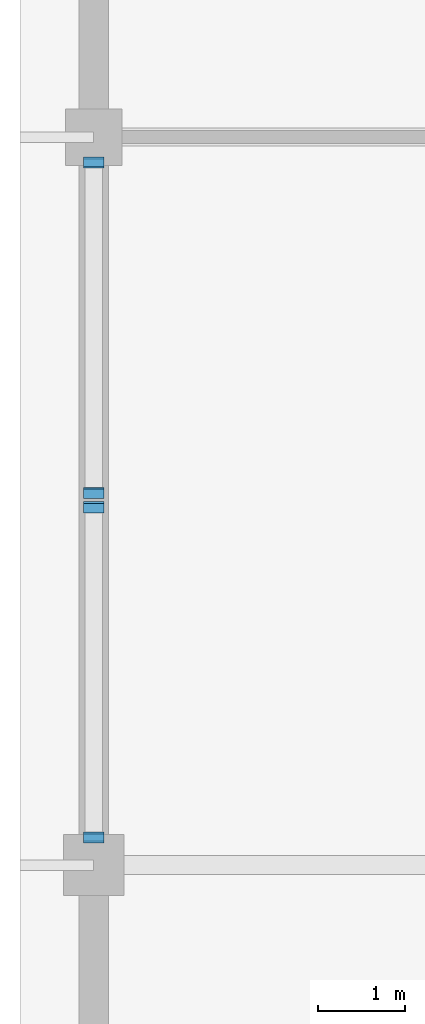
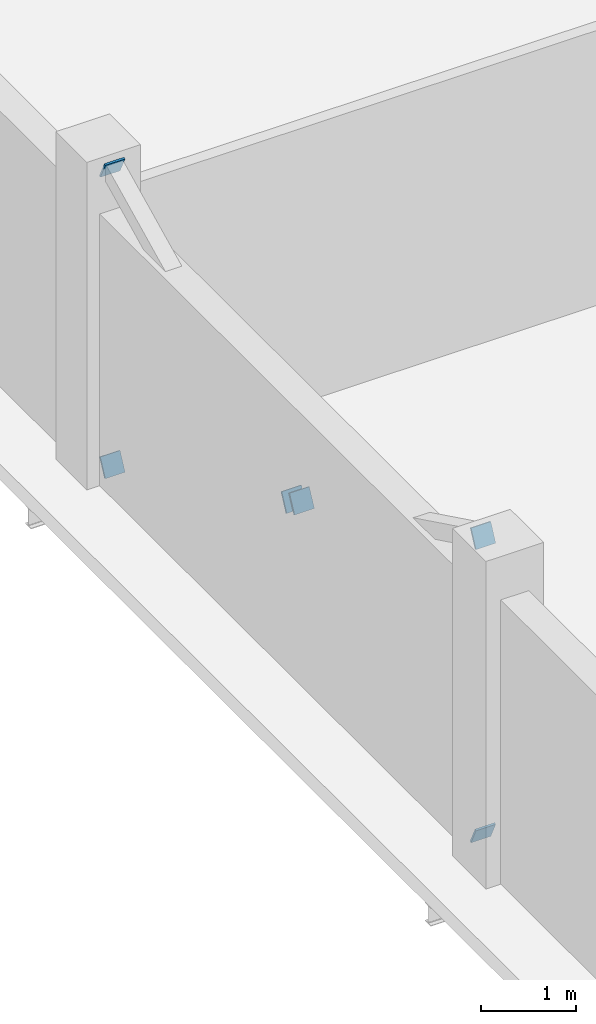
# One storey, part 90 of 121: 6 plates.
"""IFC4 building model written with IfcOpenShell, lengths in metres."""

from ifc_helpers import new_model, si_unit, direction, frame, origin, origin_2d, place, context, subcontext, project, spatial, rectangle, extrude, material, material_profile, profile_set, type_object, element, save


model = new_model("IFC4")

# Units and contexts
model_context = context("Model", 3, precision=1e-05, world=origin(), true_north=direction((0.0, 1.0)))
body_context = subcontext(model_context, "Body", "Model", "MODEL_VIEW")
ifc_project = project(units=[si_unit("LENGTHUNIT", "METRE"), si_unit("AREAUNIT", "SQUARE_METRE"), si_unit("VOLUMEUNIT", "CUBIC_METRE"), si_unit("PLANEANGLEUNIT", "RADIAN"), si_unit("MASSUNIT", "GRAM", prefix="KILO")], contexts=[model_context])

# Site, building, storey
site_placement = place(None, origin())
site = spatial("IfcSite", under=ifc_project, at=site_placement, CompositionType="ELEMENT")
building_placement = place(site_placement, origin())
building = spatial("IfcBuilding", under=site, at=building_placement, Name="Vinh Khe Railworks Police Headquarters", CompositionType="ELEMENT")
storey_placement = place(building_placement, frame((0.0, 0.0, 4.800048828125)))
storey = spatial("IfcBuildingStorey", under=building, at=storey_placement, Name="L01", CompositionType="ELEMENT", Elevation=4.800048828125)

# Plates
ifc_material = material(Name="Steel S355JR", Category="steel")
ifc_material_profile = material_profile(ifc_material, rectangle(XDim=0.239990234375, YDim=0.239990234375, at=origin_2d()), Name="PL 240x240")
ifc_profile_set = profile_set([ifc_material_profile], Name="Steel S355JR")
plate_type = type_object("IfcPlateType", Name="Steel End-Cap Plate 240x240x24", PredefinedType="SHEET", material=ifc_profile_set)
for number, where, z_axis, x_axis, name in (
    (1, (0.60009765625, 96.330078125, 0.199951171875), (0.0, -0.900415007239, -0.43503196979), (1.0, 0.0, 0.0), "End-Cap Gusset Plate PLT-EP-0063"),
    (2, (0.60009765625, 96.330078125, 4.0), (0.0, -0.900415007239, 0.43503196979), (1.0, 0.0, 0.0), "End-Cap Gusset Plate PLT-EP-0064"),
):
    element("IfcPlate", number, at=place(storey_placement, frame(where, z_axis=z_axis, x_axis=x_axis)), inside=storey, type_object=plate_type, Name=name, PredefinedType="SHEET", context=body_context, shape_type="SweptSolid", body=[
        extrude(rectangle(XDim=0.239990234375, YDim=0.239990234375, at=origin_2d()), origin(), (0.0, 0.0, 1.0), 0.024169921875),
    ])
for number, where, z_axis, x_axis, name in (
    (3, (0.60009765625, 100.119140625, 2.145751953125), (0.0, 0.894427191, -0.4472135955), (-1.0, 0.0, 0.0), "End-Cap Gusset Plate PLT-EP-0068"),
    (4, (0.60009765625, 100.305908203125, 2.05419921875), (0.0, -0.898473867353, 0.439027003366), (1.0, 0.0, 0.0), "End-Cap Gusset Plate PLT-EP-0078"),
    (5, (0.60009765625, 104.094970703125, 0.199951171875), (0.0, 0.898473867353, -0.439027003366), (-1.0, 0.0, 0.0), "End-Cap Gusset Plate PLT-EP-0083"),
    (6, (0.60009765625, 104.094970703125, 4.0), (0.0, 0.898473867353, 0.439027003366), (-1.0, 0.0, 0.0), "End-Cap Gusset Plate PLT-EP-0084"),
):
    element("IfcPlate", number, at=place(storey_placement, frame(where, z_axis=z_axis, x_axis=x_axis)), inside=storey, type_object=plate_type, Name=name, PredefinedType="SHEET", context=body_context, shape_type="SweptSolid", body=[
        extrude(rectangle(XDim=0.239990234375, YDim=0.239990234375, at=origin_2d()), origin(), (0.0, 0.0, 1.0), 0.02392578125),
    ])

save(model, "model.ifc")
